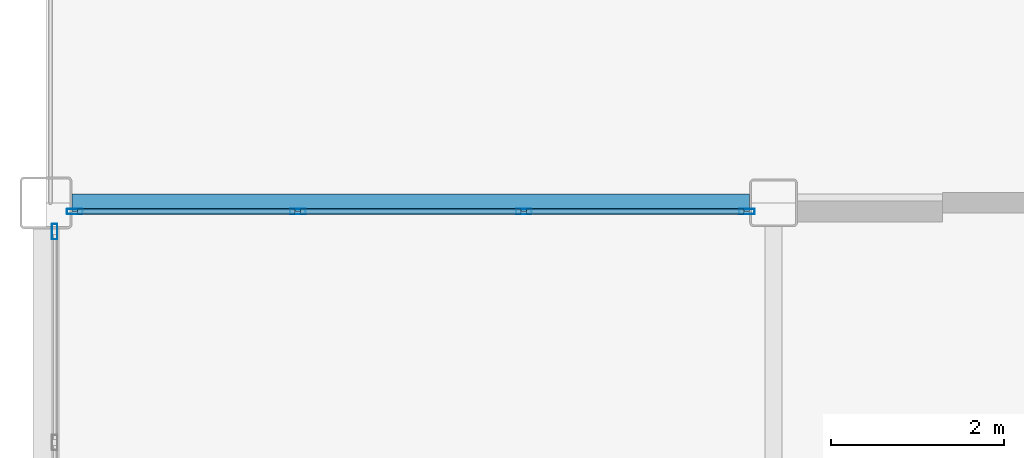
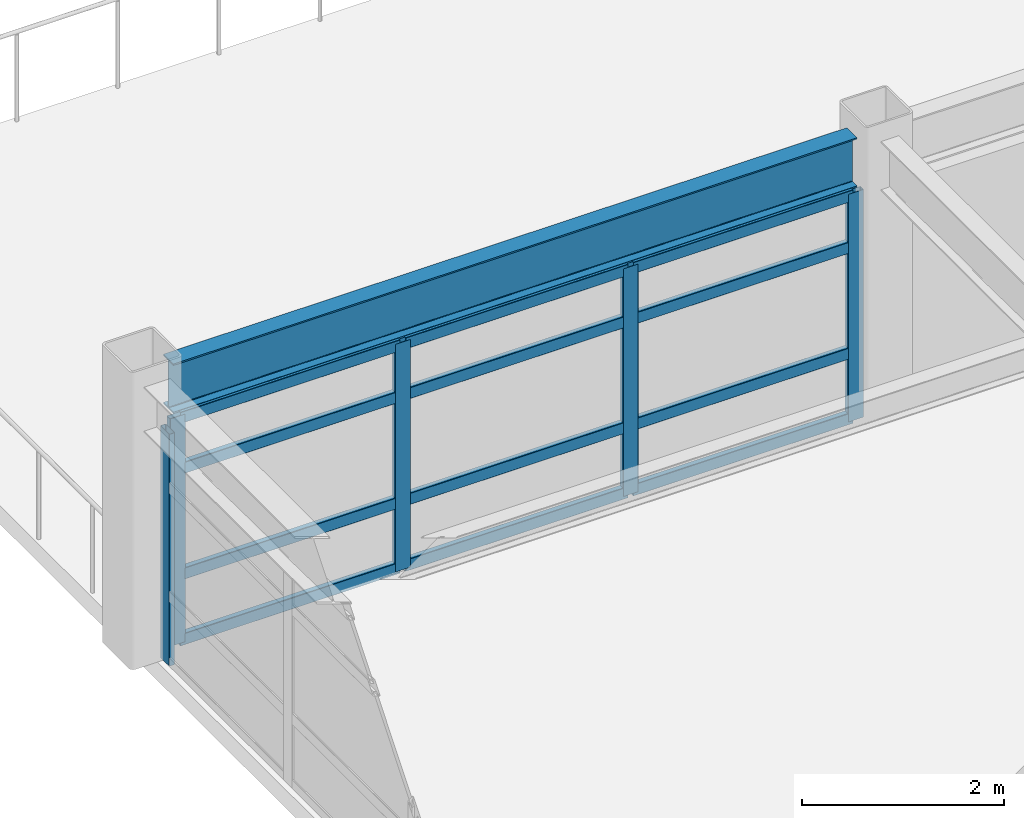
# One storey, part 20 of 36: 17 members, 1 beam, 2 elements without a shape of their own.
"""IFC4 building model written with IfcOpenShell, lengths in metres."""

from ifc_helpers import new_model, si_unit, direction, frame, origin, origin_2d, place, context, subcontext, project, spatial, hollow_rectangle, i_section, extrude, material, layer, layer_set, material_profile, profile_set, type_object, element, aggregate, save


model = new_model("IFC4")

# Units and contexts
model_context = context("Model", 3, precision=1e-05, world=origin(), true_north=direction((0.0, 1.0)))
body_context = subcontext(model_context, "Body", "Model", "MODEL_VIEW")
ifc_project = project(units=[si_unit("LENGTHUNIT", "METRE"), si_unit("AREAUNIT", "SQUARE_METRE"), si_unit("VOLUMEUNIT", "CUBIC_METRE"), si_unit("PLANEANGLEUNIT", "RADIAN"), si_unit("MASSUNIT", "GRAM", prefix="KILO")], contexts=[model_context])

# Site, building, storey
site_placement = place(None, origin())
site = spatial("IfcSite", under=ifc_project, at=site_placement, CompositionType="ELEMENT")
building_placement = place(site_placement, origin())
building = spatial("IfcBuilding", under=site, at=building_placement, Name="Kazehara Bluff Congress Hotel", CompositionType="ELEMENT")
storey_placement = place(building_placement, frame((0.0, 0.0, 31.800048828125)))
storey = spatial("IfcBuildingStorey", under=building, at=storey_placement, Name="L07", CompositionType="ELEMENT", Elevation=31.800048828125)

# Curtain wall, members
ifc_material_1 = material(Name="Anodised aluminium", Category="aluminium")
ifc_layer_1 = layer(ifc_material_1, 0.159912109375)
ifc_layer_set_1 = layer_set([ifc_layer_1], Name="Anodised aluminium")
curtain_wall_type_1 = type_object("IfcCurtainWallType", Name="TP-CW-182", PredefinedType="NOTDEFINED", material=ifc_layer_set_1)
curtain_wall_1_placement = place(storey_placement, origin())
curtain_wall_1 = element("IfcCurtainWall", 1, at=curtain_wall_1_placement, inside=storey, type_object=curtain_wall_type_1, Name="L07 curtain wall CW-182 CW-ENC-V5-L07-14791-9680", PredefinedType="NOTDEFINED")
ifc_material_2 = material(Name="Anodised aluminium", Category="aluminium")
ifc_material_profile_1 = material_profile(ifc_material_2, hollow_rectangle(XDim=0.06494140625, YDim=0.179931640625, WallThickness=0.00390625, InnerFilletRadius=0.00390625, OuterFilletRadius=0.008056640625, at=origin_2d()))
ifc_profile_set_1 = profile_set([ifc_material_profile_1], Name="Anodised aluminium")
member_type_1 = type_object("IfcMemberType", Name="TP-CWM-02", PredefinedType="MULLION", material=ifc_profile_set_1)
member_1_placement = place(storey_placement, frame((144.032470703125, 96.800048828125, 0.0), z_axis=(0.0, 0.0, 1.0), x_axis=(0.0, 1.0, 0.0)))
member_1 = element("IfcMember", 2, at=member_1_placement, type_object=member_type_1, Name="CW-182 mullion 1", PredefinedType="MULLION", context=body_context, shape_type="SweptSolid", body=[
    extrude(hollow_rectangle(XDim=0.06494140625, YDim=0.179931640625, WallThickness=0.00390625, InnerFilletRadius=0.00390625, OuterFilletRadius=0.008056640625, at=origin_2d()), origin(), (0.0, 0.0, 1.0), 2.7548828125),
])
member_2_placement = place(storey_placement, frame((146.6083984375, 96.800048828125, 0.0), z_axis=(0.0, 0.0, 1.0), x_axis=(0.0, 1.0, 0.0)))
member_2 = element("IfcMember", 3, at=member_2_placement, type_object=member_type_1, Name="CW-182 mullion 2", PredefinedType="MULLION", context=body_context, shape_type="SweptSolid", body=[
    extrude(hollow_rectangle(XDim=0.06494140625, YDim=0.179931640625, WallThickness=0.00390625, InnerFilletRadius=0.00390625, OuterFilletRadius=0.008056640625, at=origin_2d()), origin(), (0.0, 0.0, 1.0), 2.7548828125),
])
member_3_placement = place(storey_placement, frame((149.216552734375, 96.800048828125, 0.0), z_axis=(0.0, 0.0, 1.0), x_axis=(0.0, 1.0, 0.0)))
member_3 = element("IfcMember", 4, at=member_3_placement, type_object=member_type_1, Name="CW-182 mullion 3", PredefinedType="MULLION", context=body_context, shape_type="SweptSolid", body=[
    extrude(hollow_rectangle(XDim=0.06494140625, YDim=0.179931640625, WallThickness=0.00390625, InnerFilletRadius=0.00390625, OuterFilletRadius=0.008056640625, at=origin_2d()), origin(), (0.0, 0.0, 1.0), 2.7548828125),
])
member_4_placement = place(storey_placement, frame((151.79248046875, 96.800048828125, 0.0), z_axis=(0.0, 0.0, 1.0), x_axis=(0.0, 1.0, 0.0)))
member_4 = element("IfcMember", 5, at=member_4_placement, type_object=member_type_1, Name="CW-182 mullion 4", PredefinedType="MULLION", context=body_context, shape_type="SweptSolid", body=[
    extrude(hollow_rectangle(XDim=0.06494140625, YDim=0.179931640625, WallThickness=0.00390625, InnerFilletRadius=0.00390625, OuterFilletRadius=0.008056640625, at=origin_2d()), origin(), (0.0, 0.0, 1.0), 2.7548828125),
])

# Curtain wall, member
ifc_material_3 = material(Name="Anodised aluminium", Category="aluminium")
ifc_layer_2 = layer(ifc_material_3, 0.159912109375)
ifc_layer_set_2 = layer_set([ifc_layer_2], Name="Anodised aluminium")
curtain_wall_type_2 = type_object("IfcCurtainWallType", Name="TP-CW-184", PredefinedType="NOTDEFINED", material=ifc_layer_set_2)
curtain_wall_2_placement = place(storey_placement, origin())
curtain_wall_2 = element("IfcCurtainWall", 6, at=curtain_wall_2_placement, inside=storey, type_object=curtain_wall_type_2, Name="L07 curtain wall CW-184 CW-ENC-V5-L07-14380-9290", PredefinedType="NOTDEFINED")
member_5_placement = place(storey_placement, frame((143.800048828125, 96.5673828125, 0.0), z_axis=(0.0, 0.0, 1.0), x_axis=(-1.0, 0.0, 0.0)))
member_5 = element("IfcMember", 7, at=member_5_placement, type_object=member_type_1, Name="CW-184 mullion 4", PredefinedType="MULLION", context=body_context, shape_type="SweptSolid", body=[
    extrude(hollow_rectangle(XDim=0.06494140625, YDim=0.179931640625, WallThickness=0.00390625, InnerFilletRadius=0.00390625, OuterFilletRadius=0.008056640625, at=origin_2d()), origin(), (0.0, 0.0, 1.0), 2.804931640625),
])
aggregate(curtain_wall_2, [member_5])

# Member
ifc_material_4 = material(Name="Anodised aluminium", Category="aluminium")
ifc_material_profile_2 = material_profile(ifc_material_4, hollow_rectangle(XDim=0.06494140625, YDim=0.139892578125, WallThickness=0.00390625, InnerFilletRadius=0.00390625, OuterFilletRadius=0.008056640625, at=origin_2d()))
ifc_profile_set_2 = profile_set([ifc_material_profile_2], Name="Anodised aluminium")
member_type_2 = type_object("IfcMemberType", Name="TP-CWT-02", PredefinedType="USERDEFINED", material=ifc_profile_set_2)
member_6_placement = place(storey_placement, frame((144.06494140625, 96.800048828125, 0.032470703125), z_axis=(1.0, 0.0, 0.0), x_axis=(0.0, 1.0, 0.0)))
member_6 = element("IfcMember", 8, at=member_6_placement, type_object=member_type_2, Name="CW-182 transom 1.1", ObjectType="TRANSOM", PredefinedType="USERDEFINED", context=body_context, shape_type="SweptSolid", body=[
    extrude(hollow_rectangle(XDim=0.06494140625, YDim=0.139892578125, WallThickness=0.00390625, InnerFilletRadius=0.00390625, OuterFilletRadius=0.008056640625, at=origin_2d()), origin(), (0.0, 0.0, 1.0), 2.510986328125),
])

member_7_placement = place(storey_placement, frame((144.06494140625, 96.800048828125, 0.824951171875), z_axis=(1.0, 0.0, 0.0), x_axis=(0.0, 1.0, 0.0)))
member_7 = element("IfcMember", 9, at=member_7_placement, type_object=member_type_2, Name="CW-182 transom 1.2", ObjectType="TRANSOM", PredefinedType="USERDEFINED", context=body_context, shape_type="SweptSolid", body=[
    extrude(hollow_rectangle(XDim=0.06494140625, YDim=0.139892578125, WallThickness=0.00390625, InnerFilletRadius=0.00390625, OuterFilletRadius=0.008056640625, at=origin_2d()), origin(), (0.0, 0.0, 1.0), 2.510986328125),
])

member_8_placement = place(storey_placement, frame((144.06494140625, 96.800048828125, 2.10498046875), z_axis=(1.0, 0.0, 0.0), x_axis=(0.0, 1.0, 0.0)))
member_8 = element("IfcMember", 10, at=member_8_placement, type_object=member_type_2, Name="CW-182 transom 1.3", ObjectType="TRANSOM", PredefinedType="USERDEFINED", context=body_context, shape_type="SweptSolid", body=[
    extrude(hollow_rectangle(XDim=0.06494140625, YDim=0.139892578125, WallThickness=0.00390625, InnerFilletRadius=0.00390625, OuterFilletRadius=0.008056640625, at=origin_2d()), origin(), (0.0, 0.0, 1.0), 2.510986328125),
])

member_9_placement = place(storey_placement, frame((144.06494140625, 96.800048828125, 2.722412109375), z_axis=(1.0, 0.0, 0.0), x_axis=(0.0, 1.0, 0.0)))
member_9 = element("IfcMember", 11, at=member_9_placement, type_object=member_type_2, Name="CW-182 transom 1.4", ObjectType="TRANSOM", PredefinedType="USERDEFINED", context=body_context, shape_type="SweptSolid", body=[
    extrude(hollow_rectangle(XDim=0.06494140625, YDim=0.139892578125, WallThickness=0.00390625, InnerFilletRadius=0.00390625, OuterFilletRadius=0.008056640625, at=origin_2d()), origin(), (0.0, 0.0, 1.0), 2.510986328125),
])

member_10_placement = place(storey_placement, frame((146.640869140625, 96.800048828125, 0.032470703125), z_axis=(1.0, 0.0, 0.0), x_axis=(0.0, 1.0, 0.0)))
member_10 = element("IfcMember", 12, at=member_10_placement, type_object=member_type_2, Name="CW-182 transom 2.1", ObjectType="TRANSOM", PredefinedType="USERDEFINED", context=body_context, shape_type="SweptSolid", body=[
    extrude(hollow_rectangle(XDim=0.06494140625, YDim=0.139892578125, WallThickness=0.00390625, InnerFilletRadius=0.00390625, OuterFilletRadius=0.008056640625, at=origin_2d()), origin(), (0.0, 0.0, 1.0), 2.543212890625),
])

member_11_placement = place(storey_placement, frame((146.640869140625, 96.800048828125, 0.824951171875), z_axis=(1.0, 0.0, 0.0), x_axis=(0.0, 1.0, 0.0)))
member_11 = element("IfcMember", 13, at=member_11_placement, type_object=member_type_2, Name="CW-182 transom 2.2", ObjectType="TRANSOM", PredefinedType="USERDEFINED", context=body_context, shape_type="SweptSolid", body=[
    extrude(hollow_rectangle(XDim=0.06494140625, YDim=0.139892578125, WallThickness=0.00390625, InnerFilletRadius=0.00390625, OuterFilletRadius=0.008056640625, at=origin_2d()), origin(), (0.0, 0.0, 1.0), 2.543212890625),
])

member_12_placement = place(storey_placement, frame((146.640869140625, 96.800048828125, 2.10498046875), z_axis=(1.0, 0.0, 0.0), x_axis=(0.0, 1.0, 0.0)))
member_12 = element("IfcMember", 14, at=member_12_placement, type_object=member_type_2, Name="CW-182 transom 2.3", ObjectType="TRANSOM", PredefinedType="USERDEFINED", context=body_context, shape_type="SweptSolid", body=[
    extrude(hollow_rectangle(XDim=0.06494140625, YDim=0.139892578125, WallThickness=0.00390625, InnerFilletRadius=0.00390625, OuterFilletRadius=0.008056640625, at=origin_2d()), origin(), (0.0, 0.0, 1.0), 2.543212890625),
])

member_13_placement = place(storey_placement, frame((146.640869140625, 96.800048828125, 2.722412109375), z_axis=(1.0, 0.0, 0.0), x_axis=(0.0, 1.0, 0.0)))
member_13 = element("IfcMember", 15, at=member_13_placement, type_object=member_type_2, Name="CW-182 transom 2.4", ObjectType="TRANSOM", PredefinedType="USERDEFINED", context=body_context, shape_type="SweptSolid", body=[
    extrude(hollow_rectangle(XDim=0.06494140625, YDim=0.139892578125, WallThickness=0.00390625, InnerFilletRadius=0.00390625, OuterFilletRadius=0.008056640625, at=origin_2d()), origin(), (0.0, 0.0, 1.0), 2.543212890625),
])

member_14_placement = place(storey_placement, frame((149.249267578125, 96.800048828125, 0.032470703125), z_axis=(1.0, 0.0, 0.0), x_axis=(0.0, 1.0, 0.0)))
member_14 = element("IfcMember", 16, at=member_14_placement, type_object=member_type_2, Name="CW-182 transom 3.1", ObjectType="TRANSOM", PredefinedType="USERDEFINED", context=body_context, shape_type="SweptSolid", body=[
    extrude(hollow_rectangle(XDim=0.06494140625, YDim=0.139892578125, WallThickness=0.00390625, InnerFilletRadius=0.00390625, OuterFilletRadius=0.008056640625, at=origin_2d()), origin(), (0.0, 0.0, 1.0), 2.5107421875),
])

member_15_placement = place(storey_placement, frame((149.249267578125, 96.800048828125, 0.824951171875), z_axis=(1.0, 0.0, 0.0), x_axis=(0.0, 1.0, 0.0)))
member_15 = element("IfcMember", 17, at=member_15_placement, type_object=member_type_2, Name="CW-182 transom 3.2", ObjectType="TRANSOM", PredefinedType="USERDEFINED", context=body_context, shape_type="SweptSolid", body=[
    extrude(hollow_rectangle(XDim=0.06494140625, YDim=0.139892578125, WallThickness=0.00390625, InnerFilletRadius=0.00390625, OuterFilletRadius=0.008056640625, at=origin_2d()), origin(), (0.0, 0.0, 1.0), 2.5107421875),
])

member_16_placement = place(storey_placement, frame((149.249267578125, 96.800048828125, 2.10498046875), z_axis=(1.0, 0.0, 0.0), x_axis=(0.0, 1.0, 0.0)))
member_16 = element("IfcMember", 18, at=member_16_placement, type_object=member_type_2, Name="CW-182 transom 3.3", ObjectType="TRANSOM", PredefinedType="USERDEFINED", context=body_context, shape_type="SweptSolid", body=[
    extrude(hollow_rectangle(XDim=0.06494140625, YDim=0.139892578125, WallThickness=0.00390625, InnerFilletRadius=0.00390625, OuterFilletRadius=0.008056640625, at=origin_2d()), origin(), (0.0, 0.0, 1.0), 2.5107421875),
])

member_17_placement = place(storey_placement, frame((149.249267578125, 96.800048828125, 2.722412109375), z_axis=(1.0, 0.0, 0.0), x_axis=(0.0, 1.0, 0.0)))
member_17 = element("IfcMember", 19, at=member_17_placement, type_object=member_type_2, Name="CW-182 transom 3.4", ObjectType="TRANSOM", PredefinedType="USERDEFINED", context=body_context, shape_type="SweptSolid", body=[
    extrude(hollow_rectangle(XDim=0.06494140625, YDim=0.139892578125, WallThickness=0.00390625, InnerFilletRadius=0.00390625, OuterFilletRadius=0.008056640625, at=origin_2d()), origin(), (0.0, 0.0, 1.0), 2.5107421875),
])

aggregate(curtain_wall_1, [member_1, member_2, member_3, member_4, member_6, member_7, member_8, member_9, member_10, member_11, member_12, member_13, member_14, member_15, member_16, member_17])

# Beam
ifc_material_5 = material(Name="Steel SN490B", Category="steel")
ifc_material_profile_3 = material_profile(ifc_material_5, i_section(OverallWidth=0.199951171875, OverallDepth=0.60009765625, WebThickness=0.010986328125, FlangeThickness=0.01708984375, FilletRadius=0.012939453125, at=origin_2d()))
ifc_profile_set_3 = profile_set([ifc_material_profile_3], Name="Steel SN490B")
beam_type = type_object("IfcBeamType", Name="TP-G-02", PredefinedType="BEAM", material=ifc_profile_set_3)
beam_placement = place(storey_placement, frame((144.0, 96.89990234375, 3.079833984375), z_axis=(1.0, 0.0, 0.0), x_axis=(0.0, 1.0, 0.0)))
element("IfcBeam", 20, at=beam_placement, inside=storey, type_object=beam_type, Name="L07 girder G-02 65", PredefinedType="BEAM", context=body_context, shape_type="SweptSolid", body=[
    extrude(i_section(OverallWidth=0.199951171875, OverallDepth=0.60009765625, WebThickness=0.010986328125, FlangeThickness=0.01708984375, FilletRadius=0.012939453125, at=origin_2d()), origin(), (0.0, 0.0, 1.0), 7.824951171875),
])

save(model, "model.ifc")
